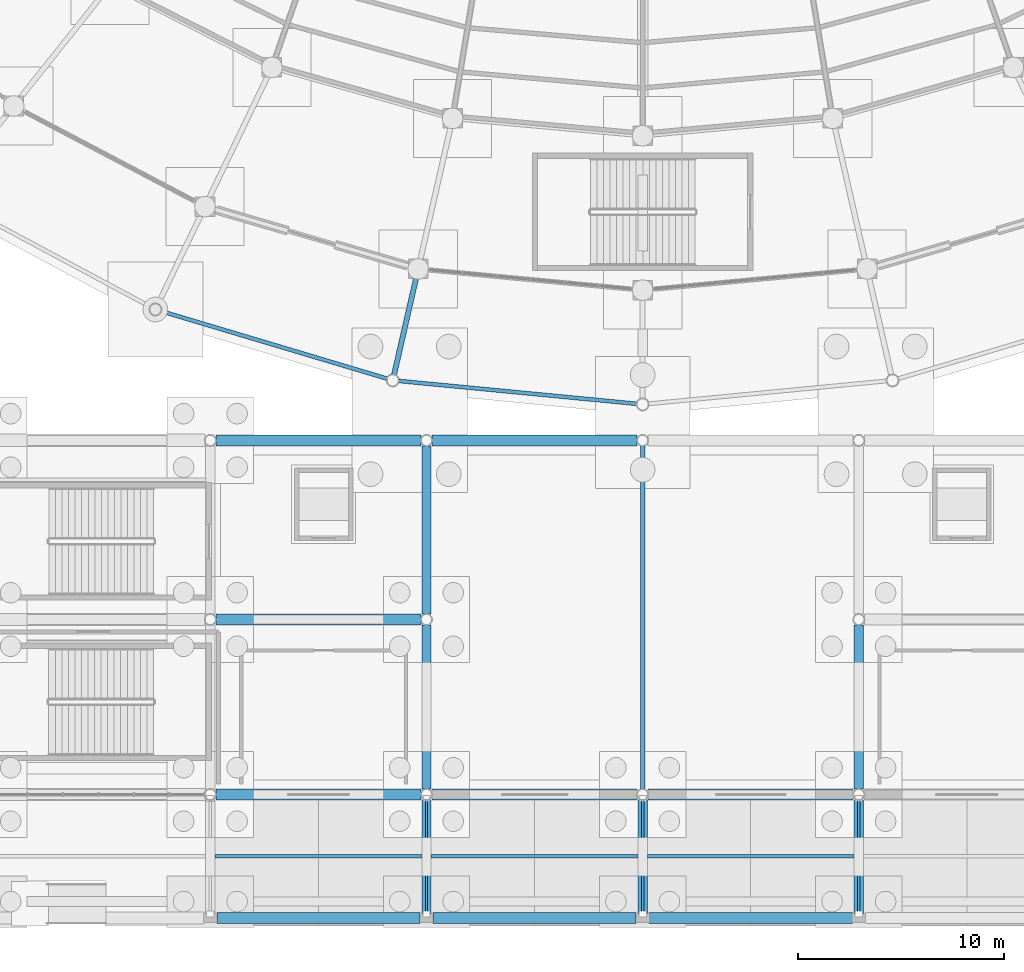
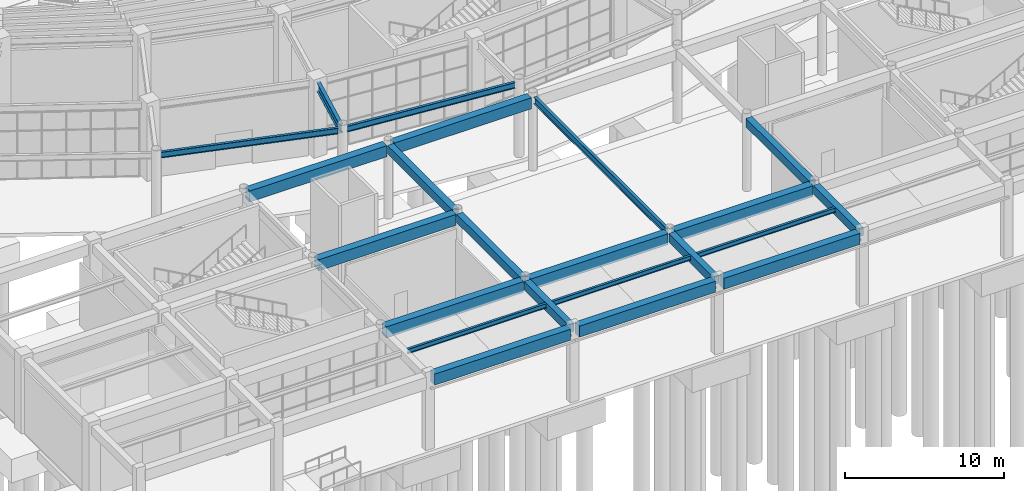
# One storey, part 31 of 121: 22 beams, 3 members.
"""IFC4 building model written with IfcOpenShell, lengths in metres."""

from ifc_helpers import new_model, si_unit, direction, frame, origin, origin_2d, place, context, subcontext, project, spatial, rectangle, hollow_rectangle, i_section, extrude, material, material_profile, profile_set, type_object, element, save


model = new_model("IFC4")

# Units and contexts
model_context = context("Model", 3, precision=1e-05, world=origin(), true_north=direction((0.0, 1.0)))
body_context = subcontext(model_context, "Body", "Model", "MODEL_VIEW")
ifc_project = project(units=[si_unit("LENGTHUNIT", "METRE"), si_unit("AREAUNIT", "SQUARE_METRE"), si_unit("VOLUMEUNIT", "CUBIC_METRE"), si_unit("PLANEANGLEUNIT", "RADIAN"), si_unit("MASSUNIT", "GRAM", prefix="KILO")], contexts=[model_context])

# Site, building, storey
site_placement = place(None, origin())
site = spatial("IfcSite", under=ifc_project, at=site_placement, CompositionType="ELEMENT")
building_placement = place(site_placement, origin())
building = spatial("IfcBuilding", under=site, at=building_placement, Name="Cuetzalor Civic Arena", CompositionType="ELEMENT")
storey_placement = place(building_placement, origin())
storey = spatial("IfcBuildingStorey", under=building, at=storey_placement, Name="L00", CompositionType="ELEMENT", Elevation=0.0)

# Members
ifc_material_1 = material(Name="Steel S355", Category="steel")
ifc_material_profile_1 = material_profile(ifc_material_1, hollow_rectangle(XDim=0.1201171875, YDim=0.1201171875, WallThickness=0.008056640625, at=origin_2d()), Name="RHS 120x120x8")
ifc_profile_set_1 = profile_set([ifc_material_profile_1], Name="Steel S355")
member_type = type_object("IfcMemberType", Name="CanopyStrutTie_RHS120", PredefinedType="BRACE", material=ifc_profile_set_1)
for number, where, z_axis, x_axis, name in (
    (1, (-10.5, -65.699951171875, 5.02001953125), (0.0, -0.999083002286, -0.042815354052), (1.0, 0.0, 0.0), "Entrance Canopy Whiplash Tie Strut X-10"),
    (2, (0.0, -65.699951171875, 5.02001953125), (0.0, -0.999083002286, -0.042815354052), (1.0, 0.0, 0.0), "Entrance Canopy Whiplash Tie Strut X0"),
    (3, (10.5, -65.699951171875, 5.02001953125), (0.0, -0.999083002286, -0.042815354052), (1.0, 0.0, 0.0), "Entrance Canopy Whiplash Tie Strut X10"),
):
    element("IfcMember", number, at=place(storey_placement, frame(where, z_axis=z_axis, x_axis=x_axis)), inside=storey, type_object=member_type, Name=name, PredefinedType="BRACE", context=body_context, shape_type="SweptSolid", body=[
        extrude(hollow_rectangle(XDim=0.1201171875, YDim=0.1201171875, WallThickness=0.008056640625, at=origin_2d()), origin(), (0.0, 0.0, 1.0), 5.605224609375),
    ])

# Beams
ifc_material_2 = material(Name="Concrete C40/50", Category="concrete")
ifc_material_profile_2 = material_profile(ifc_material_2, rectangle(XDim=0.550048828125, YDim=0.85009765625, at=origin_2d()), Name="RC 550x850")
ifc_profile_set_2 = profile_set([ifc_material_profile_2], Name="Concrete C40/50")
beam_type_1 = type_object("IfcBeamType", Name="ConcreteFrameBeam_550x850", PredefinedType="BEAM", material=ifc_profile_set_2)
for number, where, z_axis, x_axis, name in (
    (4, (-20.68505859375, -71.5, 5.27490234375), (1.0, 0.0, 0.0), (0.0, 1.0, 0.0), "Frame Girder V3-L00-X0003"),
    (5, (-10.18505859375, -71.5, 5.27490234375), (1.0, 0.0, 0.0), (0.0, 1.0, 0.0), "Frame Girder V3-L00-X0004"),
    (6, (0.31494140625, -71.5, 5.27490234375), (1.0, 0.0, 0.0), (0.0, 1.0, 0.0), "Frame Girder V3-L00-X0005"),
):
    element("IfcBeam", number, at=place(storey_placement, frame(where, z_axis=z_axis, x_axis=x_axis)), inside=storey, type_object=beam_type_1, Name=name, PredefinedType="BEAM", context=body_context, shape_type="SweptSolid", body=[
        extrude(rectangle(XDim=0.550048828125, YDim=0.85009765625, at=origin_2d()), origin(), (0.0, 0.0, 1.0), 9.8701171875),
    ])
for number, where, z_axis, x_axis, name in (
    (7, (-20.73046875, -65.5, 5.27490234375), (1.0, 0.0, 0.0), (0.0, 1.0, 0.0), "Frame Girder V3-L00-X0011"),
    (8, (-10.23046875, -65.5, 5.27490234375), (1.0, 0.0, 0.0), (0.0, 1.0, 0.0), "Frame Girder V3-L00-X0012"),
    (9, (0.26953125, -65.5, 5.27490234375), (1.0, 0.0, 0.0), (0.0, 1.0, 0.0), "Frame Girder V3-L00-X0013"),
    (10, (-20.73046875, -57.0, 5.27490234375), (1.0, 0.0, 0.0), (0.0, 1.0, 0.0), "Frame Girder V3-L00-X0019"),
    (11, (-20.73046875, -48.300048828125, 5.27490234375), (1.0, 0.0, 0.0), (0.0, 1.0, 0.0), "Frame Girder V3-L00-X0025"),
    (12, (-10.23046875, -48.300048828125, 5.27490234375), (1.0, 0.0, 0.0), (0.0, 1.0, 0.0), "Frame Girder V3-L00-X0026"),
):
    element("IfcBeam", number, at=place(storey_placement, frame(where, z_axis=z_axis, x_axis=x_axis)), inside=storey, type_object=beam_type_1, Name=name, PredefinedType="BEAM", context=body_context, shape_type="SweptSolid", body=[
        extrude(rectangle(XDim=0.550048828125, YDim=0.85009765625, at=origin_2d()), origin(), (0.0, 0.0, 1.0), 9.9609375),
    ])
ifc_material_3 = material(Name="Concrete C40/50", Category="concrete")
ifc_material_profile_3 = material_profile(ifc_material_3, rectangle(XDim=0.449951171875, YDim=0.64990234375, at=origin_2d()), Name="RC 450x650")
ifc_profile_set_3 = profile_set([ifc_material_profile_3], Name="Concrete C40/50")
beam_type_2 = type_object("IfcBeamType", Name="ConcreteTieBeam_450x650", PredefinedType="BEAM", material=ifc_profile_set_3)
beam_1_placement = place(storey_placement, frame((-10.5, -71.284912109375, 5.375), z_axis=(0.0, 1.0, 0.0), x_axis=(-1.0, 0.0, 0.0)))
element("IfcBeam", 13, at=beam_1_placement, inside=storey, type_object=beam_type_2, Name="Frame Girder V3-L00-Y0040", PredefinedType="BEAM", context=body_context, shape_type="SweptSolid", body=[
    extrude(rectangle(XDim=0.449951171875, YDim=0.64990234375, at=origin_2d()), origin(), (0.0, 0.0, 1.0), 5.515380859375),
])
beam_2_placement = place(storey_placement, frame((-10.5, -65.23046875, 5.375), z_axis=(0.0, 1.0, 0.0), x_axis=(-1.0, 0.0, 0.0)))
element("IfcBeam", 14, at=beam_2_placement, inside=storey, type_object=beam_type_2, Name="Frame Girder V3-L00-Y0041", PredefinedType="BEAM", context=body_context, shape_type="SweptSolid", body=[
    extrude(rectangle(XDim=0.449951171875, YDim=0.64990234375, at=origin_2d()), origin(), (0.0, 0.0, 1.0), 7.9609375),
])
beam_3_placement = place(storey_placement, frame((-10.5, -56.73046875, 5.375), z_axis=(0.0, 1.0, 0.0), x_axis=(-1.0, 0.0, 0.0)))
element("IfcBeam", 15, at=beam_3_placement, inside=storey, type_object=beam_type_2, Name="Frame Girder V3-L00-Y0042", PredefinedType="BEAM", context=body_context, shape_type="SweptSolid", body=[
    extrude(rectangle(XDim=0.449951171875, YDim=0.64990234375, at=origin_2d()), origin(), (0.0, 0.0, 1.0), 8.160888671875),
])
for number, where, z_axis, x_axis, name in (
    (16, (0.0, -71.284912109375, 5.375), (0.0, 1.0, 0.0), (-1.0, 0.0, 0.0), "Frame Girder V3-L00-Y0043"),
    (17, (10.5, -71.284912109375, 5.375), (0.0, 1.0, 0.0), (-1.0, 0.0, 0.0), "Frame Girder V3-L00-Y0045"),
):
    element("IfcBeam", number, at=place(storey_placement, frame(where, z_axis=z_axis, x_axis=x_axis)), inside=storey, type_object=beam_type_2, Name=name, PredefinedType="BEAM", context=body_context, shape_type="SweptSolid", body=[
        extrude(rectangle(XDim=0.449951171875, YDim=0.64990234375, at=origin_2d()), origin(), (0.0, 0.0, 1.0), 5.515380859375),
    ])
beam_4_placement = place(storey_placement, frame((10.5, -65.23046875, 5.375), z_axis=(0.0, 1.0, 0.0), x_axis=(-1.0, 0.0, 0.0)))
element("IfcBeam", 18, at=beam_4_placement, inside=storey, type_object=beam_type_2, Name="Frame Girder V3-L00-Y0046", PredefinedType="BEAM", context=body_context, shape_type="SweptSolid", body=[
    extrude(rectangle(XDim=0.449951171875, YDim=0.64990234375, at=origin_2d()), origin(), (0.0, 0.0, 1.0), 7.9609375),
])
ifc_material_4 = material(Name="Steel S355", Category="steel")
ifc_material_profile_4 = material_profile(ifc_material_4, i_section(OverallWidth=0.18994140625, OverallDepth=0.45703125, WebThickness=0.009033203125, FlangeThickness=0.014404296875, at=origin_2d()), Name="W460x74")
ifc_profile_set_4 = profile_set([ifc_material_profile_4], Name="Steel S355")
beam_type_3 = type_object("IfcBeamType", Name="FacadeSpandrelBeam_W460", PredefinedType="SPANDREL", material=ifc_profile_set_4)
beam_5_placement = place(storey_placement, frame((-23.390380859375, -42.023193359375, 5.471435546875), z_axis=(0.958199215373, -0.28610184141, 0.0), x_axis=(0.28610184141, 0.958199215373, 0.0)))
element("IfcBeam", 19, at=beam_5_placement, inside=storey, type_object=beam_type_3, Name="Drum Perimeter Spandrel L00-S20", PredefinedType="SPANDREL", context=body_context, shape_type="SweptSolid", body=[
    extrude(i_section(OverallWidth=0.18994140625, OverallDepth=0.45703125, WebThickness=0.009033203125, FlangeThickness=0.014404296875, at=origin_2d()), origin(), (0.0, 0.0, 1.0), 11.45263671875),
])
beam_6_placement = place(storey_placement, frame((-11.849853515625, -45.41064453125, 5.471435546875), z_axis=(0.995409568272, -0.095706799095, 0.0), x_axis=(0.095706799095, 0.995409568272, 0.0)))
element("IfcBeam", 20, at=beam_6_placement, inside=storey, type_object=beam_type_3, Name="Drum Perimeter Spandrel L00-S21", PredefinedType="SPANDREL", context=body_context, shape_type="SweptSolid", body=[
    extrude(i_section(OverallWidth=0.18994140625, OverallDepth=0.45703125, WebThickness=0.009033203125, FlangeThickness=0.014404296875, at=origin_2d()), origin(), (0.0, 0.0, 1.0), 11.6142578125),
])
ifc_material_5 = material(Name="Steel S355", Category="steel")
ifc_material_profile_5 = material_profile(ifc_material_5, i_section(OverallWidth=0.1708984375, OverallDepth=0.35498046875, WebThickness=0.007080078125, FlangeThickness=0.01171875, at=origin_2d()), Name="W360x51")
ifc_profile_set_5 = profile_set([ifc_material_profile_5], Name="Steel S355")
beam_type_4 = type_object("IfcBeamType", Name="SecondaryFloorJoist_W360", PredefinedType="JOIST", material=ifc_profile_set_5)
for number, where, z_axis, x_axis, name in (
    (21, (-20.782958984375, -68.5, 5.5224609375), (1.0, 0.0, 0.0), (0.0, 1.0, 0.0), "Secondary Floor Joist V3-L00-0006"),
    (22, (-10.282958984375, -68.5, 5.5224609375), (1.0, 0.0, 0.0), (0.0, 1.0, 0.0), "Secondary Floor Joist V3-L00-0007"),
    (23, (0.217041015625, -68.5, 5.5224609375), (1.0, 0.0, 0.0), (0.0, 1.0, 0.0), "Secondary Floor Joist V3-L00-0008"),
):
    element("IfcBeam", number, at=place(storey_placement, frame(where, z_axis=z_axis, x_axis=x_axis)), inside=storey, type_object=beam_type_4, Name=name, PredefinedType="JOIST", context=body_context, shape_type="SweptSolid", body=[
        extrude(i_section(OverallWidth=0.1708984375, OverallDepth=0.35498046875, WebThickness=0.007080078125, FlangeThickness=0.01171875, at=origin_2d()), origin(), (0.0, 0.0, 1.0), 10.06591796875),
    ])
ifc_material_6 = material(Name="Steel S355", Category="steel")
ifc_material_profile_6 = material_profile(ifc_material_6, i_section(OverallWidth=0.208984375, OverallDepth=0.532958984375, WebThickness=0.01025390625, FlangeThickness=0.015625, at=origin_2d()), Name="W530x92")
ifc_profile_set_6 = profile_set([ifc_material_profile_6], Name="Steel S355")
beam_type_5 = type_object("IfcBeamType", Name="SteelCollarGirder_W530", PredefinedType="BEAM", material=ifc_profile_set_6)
beam_7_placement = place(storey_placement, frame((0.0, -65.23046875, 5.43359375), z_axis=(0.0, 1.0, 0.0), x_axis=(-1.0, 0.0, 0.0)))
element("IfcBeam", 24, at=beam_7_placement, inside=storey, type_object=beam_type_5, Name="Frame Girder V3-L00-Y0044", PredefinedType="BEAM", context=body_context, shape_type="SweptSolid", body=[
    extrude(i_section(OverallWidth=0.208984375, OverallDepth=0.532958984375, WebThickness=0.01025390625, FlangeThickness=0.015625, at=origin_2d()), origin(), (0.0, 0.0, 1.0), 16.660888671875),
])
ifc_material_7 = material(Name="Steel S355", Category="steel")
ifc_material_profile_7 = material_profile(ifc_material_7, i_section(OverallWidth=0.2529296875, OverallDepth=0.677978515625, WebThickness=0.01171875, FlangeThickness=0.016357421875, at=origin_2d()), Name="W690x125")
ifc_profile_set_7 = profile_set([ifc_material_profile_7], Name="Steel S355")
beam_type_6 = type_object("IfcBeamType", Name="SteelPrimaryGirder_W690", PredefinedType="BEAM", material=ifc_profile_set_7)
beam_8_placement = place(storey_placement, frame((-10.983642578125, -40.322998046875, 5.361083984375), z_axis=(-0.222519036633, -0.974928345231, 0.0), x_axis=(0.974928345231, -0.222519036633, 0.0)))
element("IfcBeam", 25, at=beam_8_placement, inside=storey, type_object=beam_type_6, Name="Drum Radial Girder L00-R21", PredefinedType="BEAM", context=body_context, shape_type="SweptSolid", body=[
    extrude(i_section(OverallWidth=0.2529296875, OverallDepth=0.677978515625, WebThickness=0.01171875, FlangeThickness=0.016357421875, at=origin_2d()), origin(), (0.0, 0.0, 1.0), 4.89990234375),
])

save(model, "model.ifc")
